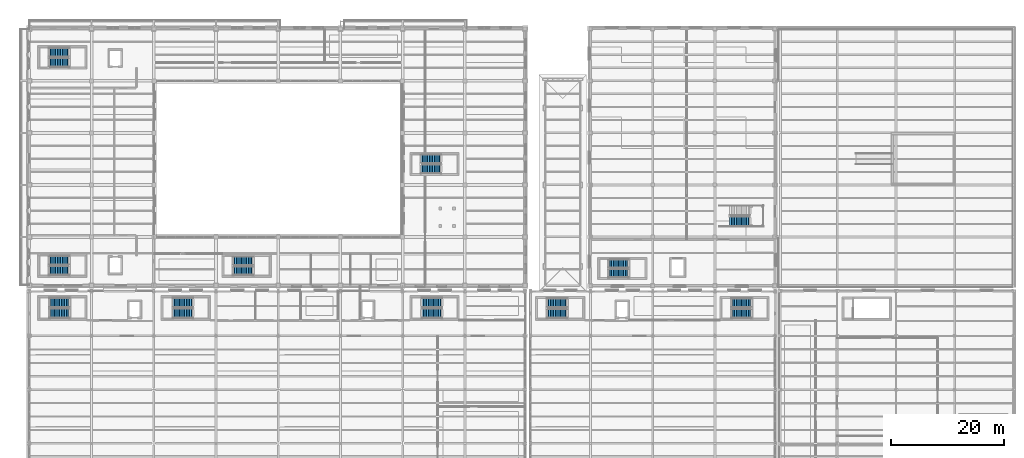
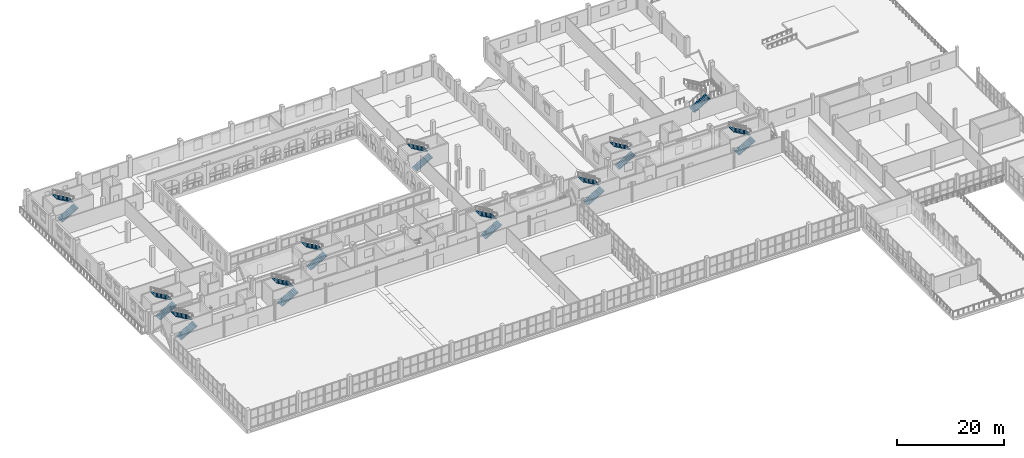
# One storey, part 130 of 156: 21 stair flights, 11 elements without a shape of their own.
"""IFC4 building model written with IfcOpenShell, lengths in metres."""

from ifc_helpers import new_model, si_unit, direction, frame, origin, place, context, subcontext, project, spatial, polyline, outline, extrude, material, type_object, element, aggregate, save


model = new_model("IFC4")

# Units and contexts
model_context = context("Model", 3, precision=1e-05, world=origin(), true_north=direction((0.0, 1.0)))
body_context = subcontext(model_context, "Body", "Model", "MODEL_VIEW")
ifc_project = project(units=[si_unit("LENGTHUNIT", "METRE"), si_unit("AREAUNIT", "SQUARE_METRE"), si_unit("VOLUMEUNIT", "CUBIC_METRE"), si_unit("PLANEANGLEUNIT", "RADIAN"), si_unit("MASSUNIT", "GRAM", prefix="KILO")], contexts=[model_context])

# Site, building, storey
site_placement = place(None, origin())
site = spatial("IfcSite", under=ifc_project, at=site_placement, CompositionType="ELEMENT")
building_placement = place(site_placement, origin())
building = spatial("IfcBuilding", under=site, at=building_placement, Name="Caurita Quay Ferry Terminal", CompositionType="ELEMENT")
storey_placement = place(building_placement, frame((0.0, 0.0, 5.39990234375)))
storey = spatial("IfcBuildingStorey", under=building, at=storey_placement, Name="L01", CompositionType="ELEMENT", Elevation=5.39990234375)

# Stair, stair flights
ifc_material = material(Name="Reinforced concrete C35/45", Category="concrete")
stair_type_1 = type_object("IfcStairType", Name="STR-DL-02", PredefinedType="HALF_TURN_STAIR", material=ifc_material)
stair_1_placement = place(storey_placement, origin())
stair_1 = element("IfcStair", 1, at=stair_1_placement, inside=storey, type_object=stair_type_1, Name="L01 Protected Exit Stair ST-01", PredefinedType="HALF_TURN_STAIR")
stair_flight_type_1 = type_object("IfcStairFlightType", Name="FLT-DL-02", PredefinedType="STRAIGHT", material=ifc_material)
stair_flight_1_placement = place(storey_placement, frame((3.449951171875, 111.02490234375, 0.0), z_axis=(0.0, 0.0, 1.0), x_axis=(1.0, 0.0, 0.0)))
stair_flight_1 = element("IfcStairFlight", 2, at=stair_flight_1_placement, type_object=stair_flight_type_1, Name="ST-01 flight 1", NumberOfRisers=13, NumberOfTreads=12, PredefinedType="STRAIGHT", RiserHeight=0.173076923, TreadLength=0.3, context=body_context, shape_type="SweptSolid", body=[
    extrude(outline(polyline([(0.0, 0.0), (0.0, 0.173095703125), (0.300048828125, 0.173095703125), (0.300048828125, 0.34619140625), (0.60009765625, 0.34619140625), (0.60009765625, 0.519287109375), (0.89990234375, 0.519287109375), (0.89990234375, 0.6923828125), (1.199951171875, 0.6923828125), (1.199951171875, 0.865478515625), (1.5, 0.865478515625), (1.5, 1.03857421875), (1.800048828125, 1.03857421875), (1.800048828125, 1.21142578125), (2.10009765625, 1.21142578125), (2.10009765625, 1.384521484375), (2.39990234375, 1.384521484375), (2.39990234375, 1.5576171875), (2.699951171875, 1.5576171875), (2.699951171875, 1.730712890625), (3.0, 1.730712890625), (3.0, 1.90380859375), (3.300048828125, 1.90380859375), (3.300048828125, 2.076904296875), (3.60009765625, 2.076904296875), (3.60009765625, 2.25), (3.60009765625, 1.90380859375), (0.300048828125, 0.0), (0.0, 0.0)])), frame((0.0, 0.824951171875, 0.0), z_axis=(0.0, -1.0, 0.0), x_axis=(1.0, 0.0, 0.0)), (0.0, 0.0, 1.0), 1.64990234375),
])
stair_flight_2_placement = place(storey_placement, frame((7.050048828125, 112.8349609375, 2.25), z_axis=(0.0, 0.0, 1.0), x_axis=(-1.0, 0.0, 0.0)))
stair_flight_2 = element("IfcStairFlight", 3, at=stair_flight_2_placement, type_object=stair_flight_type_1, Name="ST-01 flight 2", NumberOfRisers=13, NumberOfTreads=12, PredefinedType="STRAIGHT", RiserHeight=0.173076923, TreadLength=0.3, context=body_context, shape_type="SweptSolid", body=[
    extrude(outline(polyline([(0.0, 0.0), (0.0, 0.173095703125), (0.300048828125, 0.173095703125), (0.300048828125, 0.34619140625), (0.60009765625, 0.34619140625), (0.60009765625, 0.519287109375), (0.89990234375, 0.519287109375), (0.89990234375, 0.6923828125), (1.199951171875, 0.6923828125), (1.199951171875, 0.865478515625), (1.5, 0.865478515625), (1.5, 1.03857421875), (1.800048828125, 1.03857421875), (1.800048828125, 1.21142578125), (2.10009765625, 1.21142578125), (2.10009765625, 1.384521484375), (2.39990234375, 1.384521484375), (2.39990234375, 1.5576171875), (2.699951171875, 1.5576171875), (2.699951171875, 1.730712890625), (3.0, 1.730712890625), (3.0, 1.90380859375), (3.300048828125, 1.90380859375), (3.300048828125, 2.076904296875), (3.60009765625, 2.076904296875), (3.60009765625, 2.25), (3.60009765625, 1.90380859375), (0.300048828125, 0.0), (0.0, 0.0)])), frame((0.0, 0.824951171875, 0.0), z_axis=(0.0, -1.0, 0.0), x_axis=(1.0, 0.0, 0.0)), (0.0, 0.0, 1.0), 1.64990234375),
])
aggregate(stair_1, [stair_flight_1, stair_flight_2])

stair_2_placement = place(storey_placement, origin())
stair_2 = element("IfcStair", 4, at=stair_2_placement, inside=storey, type_object=stair_type_1, Name="L01 Protected Exit Stair ST-02", PredefinedType="HALF_TURN_STAIR")
stair_flight_3_placement = place(storey_placement, frame((3.449951171875, 74.22509765625, 0.0), z_axis=(0.0, 0.0, 1.0), x_axis=(1.0, 0.0, 0.0)))
stair_flight_3 = element("IfcStairFlight", 5, at=stair_flight_3_placement, type_object=stair_flight_type_1, Name="ST-02 flight 1", NumberOfRisers=13, NumberOfTreads=12, PredefinedType="STRAIGHT", RiserHeight=0.173076923, TreadLength=0.3, context=body_context, shape_type="SweptSolid", body=[
    extrude(outline(polyline([(0.0, 0.0), (0.0, 0.173095703125), (0.300048828125, 0.173095703125), (0.300048828125, 0.34619140625), (0.60009765625, 0.34619140625), (0.60009765625, 0.519287109375), (0.89990234375, 0.519287109375), (0.89990234375, 0.6923828125), (1.199951171875, 0.6923828125), (1.199951171875, 0.865478515625), (1.5, 0.865478515625), (1.5, 1.03857421875), (1.800048828125, 1.03857421875), (1.800048828125, 1.21142578125), (2.10009765625, 1.21142578125), (2.10009765625, 1.384521484375), (2.39990234375, 1.384521484375), (2.39990234375, 1.5576171875), (2.699951171875, 1.5576171875), (2.699951171875, 1.730712890625), (3.0, 1.730712890625), (3.0, 1.90380859375), (3.300048828125, 1.90380859375), (3.300048828125, 2.076904296875), (3.60009765625, 2.076904296875), (3.60009765625, 2.25), (3.60009765625, 1.90380859375), (0.300048828125, 0.0), (0.0, 0.0)])), frame((0.0, 0.824951171875, 0.0), z_axis=(0.0, -1.0, 0.0), x_axis=(1.0, 0.0, 0.0)), (0.0, 0.0, 1.0), 1.64990234375),
])
stair_flight_4_placement = place(storey_placement, frame((7.050048828125, 76.034912109375, 2.25), z_axis=(0.0, 0.0, 1.0), x_axis=(-1.0, 0.0, 0.0)))
stair_flight_4 = element("IfcStairFlight", 6, at=stair_flight_4_placement, type_object=stair_flight_type_1, Name="ST-02 flight 2", NumberOfRisers=13, NumberOfTreads=12, PredefinedType="STRAIGHT", RiserHeight=0.173076923, TreadLength=0.3, context=body_context, shape_type="SweptSolid", body=[
    extrude(outline(polyline([(0.0, 0.0), (0.0, 0.173095703125), (0.300048828125, 0.173095703125), (0.300048828125, 0.34619140625), (0.60009765625, 0.34619140625), (0.60009765625, 0.519287109375), (0.89990234375, 0.519287109375), (0.89990234375, 0.6923828125), (1.199951171875, 0.6923828125), (1.199951171875, 0.865478515625), (1.5, 0.865478515625), (1.5, 1.03857421875), (1.800048828125, 1.03857421875), (1.800048828125, 1.21142578125), (2.10009765625, 1.21142578125), (2.10009765625, 1.384521484375), (2.39990234375, 1.384521484375), (2.39990234375, 1.5576171875), (2.699951171875, 1.5576171875), (2.699951171875, 1.730712890625), (3.0, 1.730712890625), (3.0, 1.90380859375), (3.300048828125, 1.90380859375), (3.300048828125, 2.076904296875), (3.60009765625, 2.076904296875), (3.60009765625, 2.25), (3.60009765625, 1.90380859375), (0.300048828125, 0.0), (0.0, 0.0)])), frame((0.0, 0.824951171875, 0.0), z_axis=(0.0, -1.0, 0.0), x_axis=(1.0, 0.0, 0.0)), (0.0, 0.0, 1.0), 1.64990234375),
])
aggregate(stair_2, [stair_flight_3, stair_flight_4])

stair_type_2 = type_object("IfcStairType", Name="STR-DL-05", PredefinedType="HALF_TURN_STAIR", material=ifc_material)
stair_3_placement = place(storey_placement, origin())
stair_3 = element("IfcStair", 7, at=stair_3_placement, inside=storey, type_object=stair_type_2, Name="L01 Protected Exit Stair ST-03", PredefinedType="HALF_TURN_STAIR")
stair_flight_type_2 = type_object("IfcStairFlightType", Name="FLT-DL-05", PredefinedType="STRAIGHT", material=ifc_material)
stair_flight_5_placement = place(storey_placement, frame((36.0, 74.199951171875, 0.0), z_axis=(0.0, 0.0, 1.0), x_axis=(1.0, 0.0, 0.0)))
stair_flight_5 = element("IfcStairFlight", 8, at=stair_flight_5_placement, type_object=stair_flight_type_2, Name="ST-03 flight 1", NumberOfRisers=13, NumberOfTreads=12, PredefinedType="STRAIGHT", RiserHeight=0.173076923, TreadLength=0.3, context=body_context, shape_type="SweptSolid", body=[
    extrude(outline(polyline([(0.0, 0.0), (0.0, 0.173095703125), (0.300048828125, 0.173095703125), (0.300048828125, 0.34619140625), (0.60009765625, 0.34619140625), (0.60009765625, 0.519287109375), (0.89990234375, 0.519287109375), (0.89990234375, 0.6923828125), (1.199951171875, 0.6923828125), (1.199951171875, 0.865478515625), (1.5, 0.865478515625), (1.5, 1.03857421875), (1.800048828125, 1.03857421875), (1.800048828125, 1.21142578125), (2.10009765625, 1.21142578125), (2.10009765625, 1.384521484375), (2.39990234375, 1.384521484375), (2.39990234375, 1.5576171875), (2.699951171875, 1.5576171875), (2.699951171875, 1.730712890625), (3.0, 1.730712890625), (3.0, 1.90380859375), (3.300048828125, 1.90380859375), (3.300048828125, 2.076904296875), (3.60009765625, 2.076904296875), (3.60009765625, 2.25), (3.60009765625, 1.90380859375), (0.300048828125, 0.0), (0.0, 0.0)])), frame((0.0, 0.800048828125, 0.0), z_axis=(0.0, -1.0, 0.0), x_axis=(1.0, 0.0, 0.0)), (0.0, 0.0, 1.0), 1.60009765625),
])
stair_flight_6_placement = place(storey_placement, frame((39.60009765625, 75.9599609375, 2.25), z_axis=(0.0, 0.0, 1.0), x_axis=(-1.0, 0.0, 0.0)))
stair_flight_6 = element("IfcStairFlight", 9, at=stair_flight_6_placement, type_object=stair_flight_type_2, Name="ST-03 flight 2", NumberOfRisers=13, NumberOfTreads=12, PredefinedType="STRAIGHT", RiserHeight=0.173076923, TreadLength=0.3, context=body_context, shape_type="SweptSolid", body=[
    extrude(outline(polyline([(0.0, 0.0), (0.0, 0.173095703125), (0.300048828125, 0.173095703125), (0.300048828125, 0.34619140625), (0.60009765625, 0.34619140625), (0.60009765625, 0.519287109375), (0.89990234375, 0.519287109375), (0.89990234375, 0.6923828125), (1.199951171875, 0.6923828125), (1.199951171875, 0.865478515625), (1.5, 0.865478515625), (1.5, 1.03857421875), (1.800048828125, 1.03857421875), (1.800048828125, 1.21142578125), (2.10009765625, 1.21142578125), (2.10009765625, 1.384521484375), (2.39990234375, 1.384521484375), (2.39990234375, 1.5576171875), (2.699951171875, 1.5576171875), (2.699951171875, 1.730712890625), (3.0, 1.730712890625), (3.0, 1.90380859375), (3.300048828125, 1.90380859375), (3.300048828125, 2.076904296875), (3.60009765625, 2.076904296875), (3.60009765625, 2.25), (3.60009765625, 1.90380859375), (0.300048828125, 0.0), (0.0, 0.0)])), frame((0.0, 0.800048828125, 0.0), z_axis=(0.0, -1.0, 0.0), x_axis=(1.0, 0.0, 0.0)), (0.0, 0.0, 1.0), 1.60009765625),
])
aggregate(stair_3, [stair_flight_5, stair_flight_6])

stair_4_placement = place(storey_placement, origin())
stair_4 = element("IfcStair", 10, at=stair_4_placement, inside=storey, type_object=stair_type_2, Name="L01 Protected Exit Stair ST-04", PredefinedType="HALF_TURN_STAIR")
stair_flight_7_placement = place(storey_placement, frame((69.199951171875, 92.199951171875, 0.0), z_axis=(0.0, 0.0, 1.0), x_axis=(1.0, 0.0, 0.0)))
stair_flight_7 = element("IfcStairFlight", 11, at=stair_flight_7_placement, type_object=stair_flight_type_2, Name="ST-04 flight 1", NumberOfRisers=13, NumberOfTreads=12, PredefinedType="STRAIGHT", RiserHeight=0.173076923, TreadLength=0.3, context=body_context, shape_type="SweptSolid", body=[
    extrude(outline(polyline([(0.0, 0.0), (0.0, 0.173095703125), (0.300048828125, 0.173095703125), (0.300048828125, 0.34619140625), (0.60009765625, 0.34619140625), (0.60009765625, 0.519287109375), (0.89990234375, 0.519287109375), (0.89990234375, 0.6923828125), (1.199951171875, 0.6923828125), (1.199951171875, 0.865478515625), (1.5, 0.865478515625), (1.5, 1.03857421875), (1.800048828125, 1.03857421875), (1.800048828125, 1.21142578125), (2.10009765625, 1.21142578125), (2.10009765625, 1.384521484375), (2.39990234375, 1.384521484375), (2.39990234375, 1.5576171875), (2.699951171875, 1.5576171875), (2.699951171875, 1.730712890625), (3.0, 1.730712890625), (3.0, 1.90380859375), (3.300048828125, 1.90380859375), (3.300048828125, 2.076904296875), (3.60009765625, 2.076904296875), (3.60009765625, 2.25), (3.60009765625, 1.90380859375), (0.300048828125, 0.0), (0.0, 0.0)])), frame((0.0, 0.800048828125, 0.0), z_axis=(0.0, -1.0, 0.0), x_axis=(1.0, 0.0, 0.0)), (0.0, 0.0, 1.0), 1.60009765625),
])
stair_flight_8_placement = place(storey_placement, frame((72.800048828125, 93.9599609375, 2.25), z_axis=(0.0, 0.0, 1.0), x_axis=(-1.0, 0.0, 0.0)))
stair_flight_8 = element("IfcStairFlight", 12, at=stair_flight_8_placement, type_object=stair_flight_type_2, Name="ST-04 flight 2", NumberOfRisers=13, NumberOfTreads=12, PredefinedType="STRAIGHT", RiserHeight=0.173076923, TreadLength=0.3, context=body_context, shape_type="SweptSolid", body=[
    extrude(outline(polyline([(0.0, 0.0), (0.0, 0.173095703125), (0.300048828125, 0.173095703125), (0.300048828125, 0.34619140625), (0.60009765625, 0.34619140625), (0.60009765625, 0.519287109375), (0.89990234375, 0.519287109375), (0.89990234375, 0.6923828125), (1.199951171875, 0.6923828125), (1.199951171875, 0.865478515625), (1.5, 0.865478515625), (1.5, 1.03857421875), (1.800048828125, 1.03857421875), (1.800048828125, 1.21142578125), (2.10009765625, 1.21142578125), (2.10009765625, 1.384521484375), (2.39990234375, 1.384521484375), (2.39990234375, 1.5576171875), (2.699951171875, 1.5576171875), (2.699951171875, 1.730712890625), (3.0, 1.730712890625), (3.0, 1.90380859375), (3.300048828125, 1.90380859375), (3.300048828125, 2.076904296875), (3.60009765625, 2.076904296875), (3.60009765625, 2.25), (3.60009765625, 1.90380859375), (0.300048828125, 0.0), (0.0, 0.0)])), frame((0.0, 0.800048828125, 0.0), z_axis=(0.0, -1.0, 0.0), x_axis=(1.0, 0.0, 0.0)), (0.0, 0.0, 1.0), 1.60009765625),
])
aggregate(stair_4, [stair_flight_7, stair_flight_8])

stair_type_3 = type_object("IfcStairType", Name="STR-DL-08", PredefinedType="HALF_TURN_STAIR", material=ifc_material)
stair_5_placement = place(storey_placement, origin())
stair_5 = element("IfcStair", 13, at=stair_5_placement, inside=storey, type_object=stair_type_3, Name="L01 Protected Exit Stair ST-05", PredefinedType="HALF_TURN_STAIR")
stair_flight_type_3 = type_object("IfcStairFlightType", Name="FLT-DL-08", PredefinedType="STRAIGHT", material=ifc_material)
stair_flight_9_placement = place(storey_placement, frame((3.550048828125, 66.675048828125, 0.0), z_axis=(0.0, 0.0, 1.0), x_axis=(1.0, 0.0, 0.0)))
stair_flight_9 = element("IfcStairFlight", 14, at=stair_flight_9_placement, type_object=stair_flight_type_3, Name="ST-05 flight 1", NumberOfRisers=13, NumberOfTreads=12, PredefinedType="STRAIGHT", RiserHeight=0.173076923, TreadLength=0.3, context=body_context, shape_type="SweptSolid", body=[
    extrude(outline(polyline([(0.0, 0.0), (0.0, 0.173095703125), (0.300048828125, 0.173095703125), (0.300048828125, 0.34619140625), (0.60009765625, 0.34619140625), (0.60009765625, 0.519287109375), (0.89990234375, 0.519287109375), (0.89990234375, 0.6923828125), (1.199951171875, 0.6923828125), (1.199951171875, 0.865478515625), (1.5, 0.865478515625), (1.5, 1.03857421875), (1.800048828125, 1.03857421875), (1.800048828125, 1.21142578125), (2.10009765625, 1.21142578125), (2.10009765625, 1.384521484375), (2.39990234375, 1.384521484375), (2.39990234375, 1.5576171875), (2.699951171875, 1.5576171875), (2.699951171875, 1.730712890625), (3.0, 1.730712890625), (3.0, 1.90380859375), (3.300048828125, 1.90380859375), (3.300048828125, 2.076904296875), (3.60009765625, 2.076904296875), (3.60009765625, 2.25), (3.60009765625, 1.90380859375), (0.300048828125, 0.0), (0.0, 0.0)])), frame((0.0, 0.875, 0.0), z_axis=(0.0, -1.0, 0.0), x_axis=(1.0, 0.0, 0.0)), (0.0, 0.0, 1.0), 1.75),
])
stair_flight_10_placement = place(storey_placement, frame((7.14990234375, 68.5849609375, 2.25), z_axis=(0.0, 0.0, 1.0), x_axis=(-1.0, 0.0, 0.0)))
stair_flight_10 = element("IfcStairFlight", 15, at=stair_flight_10_placement, type_object=stair_flight_type_3, Name="ST-05 flight 2", NumberOfRisers=13, NumberOfTreads=12, PredefinedType="STRAIGHT", RiserHeight=0.173076923, TreadLength=0.3, context=body_context, shape_type="SweptSolid", body=[
    extrude(outline(polyline([(0.0, 0.0), (0.0, 0.173095703125), (0.300048828125, 0.173095703125), (0.300048828125, 0.34619140625), (0.60009765625, 0.34619140625), (0.60009765625, 0.519287109375), (0.89990234375, 0.519287109375), (0.89990234375, 0.6923828125), (1.199951171875, 0.6923828125), (1.199951171875, 0.865478515625), (1.5, 0.865478515625), (1.5, 1.03857421875), (1.800048828125, 1.03857421875), (1.800048828125, 1.21142578125), (2.10009765625, 1.21142578125), (2.10009765625, 1.384521484375), (2.39990234375, 1.384521484375), (2.39990234375, 1.5576171875), (2.699951171875, 1.5576171875), (2.699951171875, 1.730712890625), (3.0, 1.730712890625), (3.0, 1.90380859375), (3.300048828125, 1.90380859375), (3.300048828125, 2.076904296875), (3.60009765625, 2.076904296875), (3.60009765625, 2.25), (3.60009765625, 1.90380859375), (0.300048828125, 0.0), (0.0, 0.0)])), frame((0.0, 0.875, 0.0), z_axis=(0.0, -1.0, 0.0), x_axis=(1.0, 0.0, 0.0)), (0.0, 0.0, 1.0), 1.75),
])
aggregate(stair_5, [stair_flight_9, stair_flight_10])

stair_6_placement = place(storey_placement, origin())
stair_6 = element("IfcStair", 16, at=stair_6_placement, inside=storey, type_object=stair_type_3, Name="L01 Protected Exit Stair ST-06", PredefinedType="HALF_TURN_STAIR")
stair_flight_11_placement = place(storey_placement, frame((25.35009765625, 66.675048828125, 0.0), z_axis=(0.0, 0.0, 1.0), x_axis=(1.0, 0.0, 0.0)))
stair_flight_11 = element("IfcStairFlight", 17, at=stair_flight_11_placement, type_object=stair_flight_type_3, Name="ST-06 flight 1", NumberOfRisers=13, NumberOfTreads=12, PredefinedType="STRAIGHT", RiserHeight=0.173076923, TreadLength=0.3, context=body_context, shape_type="SweptSolid", body=[
    extrude(outline(polyline([(0.0, 0.0), (0.0, 0.173095703125), (0.300048828125, 0.173095703125), (0.300048828125, 0.34619140625), (0.60009765625, 0.34619140625), (0.60009765625, 0.519287109375), (0.89990234375, 0.519287109375), (0.89990234375, 0.6923828125), (1.199951171875, 0.6923828125), (1.199951171875, 0.865478515625), (1.5, 0.865478515625), (1.5, 1.03857421875), (1.800048828125, 1.03857421875), (1.800048828125, 1.21142578125), (2.10009765625, 1.21142578125), (2.10009765625, 1.384521484375), (2.39990234375, 1.384521484375), (2.39990234375, 1.5576171875), (2.699951171875, 1.5576171875), (2.699951171875, 1.730712890625), (3.0, 1.730712890625), (3.0, 1.90380859375), (3.300048828125, 1.90380859375), (3.300048828125, 2.076904296875), (3.60009765625, 2.076904296875), (3.60009765625, 2.25), (3.60009765625, 1.90380859375), (0.300048828125, 0.0), (0.0, 0.0)])), frame((0.0, 0.875, 0.0), z_axis=(0.0, -1.0, 0.0), x_axis=(1.0, 0.0, 0.0)), (0.0, 0.0, 1.0), 1.75),
])
stair_flight_12_placement = place(storey_placement, frame((28.949951171875, 68.5849609375, 2.25), z_axis=(0.0, 0.0, 1.0), x_axis=(-1.0, 0.0, 0.0)))
stair_flight_12 = element("IfcStairFlight", 18, at=stair_flight_12_placement, type_object=stair_flight_type_3, Name="ST-06 flight 2", NumberOfRisers=13, NumberOfTreads=12, PredefinedType="STRAIGHT", RiserHeight=0.173076923, TreadLength=0.3, context=body_context, shape_type="SweptSolid", body=[
    extrude(outline(polyline([(0.0, 0.0), (0.0, 0.173095703125), (0.300048828125, 0.173095703125), (0.300048828125, 0.34619140625), (0.60009765625, 0.34619140625), (0.60009765625, 0.519287109375), (0.89990234375, 0.519287109375), (0.89990234375, 0.6923828125), (1.199951171875, 0.6923828125), (1.199951171875, 0.865478515625), (1.5, 0.865478515625), (1.5, 1.03857421875), (1.800048828125, 1.03857421875), (1.800048828125, 1.21142578125), (2.10009765625, 1.21142578125), (2.10009765625, 1.384521484375), (2.39990234375, 1.384521484375), (2.39990234375, 1.5576171875), (2.699951171875, 1.5576171875), (2.699951171875, 1.730712890625), (3.0, 1.730712890625), (3.0, 1.90380859375), (3.300048828125, 1.90380859375), (3.300048828125, 2.076904296875), (3.60009765625, 2.076904296875), (3.60009765625, 2.25), (3.60009765625, 1.90380859375), (0.300048828125, 0.0), (0.0, 0.0)])), frame((0.0, 0.875, 0.0), z_axis=(0.0, -1.0, 0.0), x_axis=(1.0, 0.0, 0.0)), (0.0, 0.0, 1.0), 1.75),
])
aggregate(stair_6, [stair_flight_11, stair_flight_12])

stair_7_placement = place(storey_placement, origin())
stair_7 = element("IfcStair", 19, at=stair_7_placement, inside=storey, type_object=stair_type_3, Name="L01 Protected Exit Stair ST-07", PredefinedType="HALF_TURN_STAIR")
stair_flight_13_placement = place(storey_placement, frame((69.35009765625, 66.675048828125, 0.0), z_axis=(0.0, 0.0, 1.0), x_axis=(1.0, 0.0, 0.0)))
stair_flight_13 = element("IfcStairFlight", 20, at=stair_flight_13_placement, type_object=stair_flight_type_3, Name="ST-07 flight 1", NumberOfRisers=13, NumberOfTreads=12, PredefinedType="STRAIGHT", RiserHeight=0.173076923, TreadLength=0.3, context=body_context, shape_type="SweptSolid", body=[
    extrude(outline(polyline([(0.0, 0.0), (0.0, 0.173095703125), (0.300048828125, 0.173095703125), (0.300048828125, 0.34619140625), (0.60009765625, 0.34619140625), (0.60009765625, 0.519287109375), (0.89990234375, 0.519287109375), (0.89990234375, 0.6923828125), (1.199951171875, 0.6923828125), (1.199951171875, 0.865478515625), (1.5, 0.865478515625), (1.5, 1.03857421875), (1.800048828125, 1.03857421875), (1.800048828125, 1.21142578125), (2.10009765625, 1.21142578125), (2.10009765625, 1.384521484375), (2.39990234375, 1.384521484375), (2.39990234375, 1.5576171875), (2.699951171875, 1.5576171875), (2.699951171875, 1.730712890625), (3.0, 1.730712890625), (3.0, 1.90380859375), (3.300048828125, 1.90380859375), (3.300048828125, 2.076904296875), (3.60009765625, 2.076904296875), (3.60009765625, 2.25), (3.60009765625, 1.90380859375), (0.300048828125, 0.0), (0.0, 0.0)])), frame((0.0, 0.875, 0.0), z_axis=(0.0, -1.0, 0.0), x_axis=(1.0, 0.0, 0.0)), (0.0, 0.0, 1.0), 1.75),
])
stair_flight_14_placement = place(storey_placement, frame((72.949951171875, 68.5849609375, 2.25), z_axis=(0.0, 0.0, 1.0), x_axis=(-1.0, 0.0, 0.0)))
stair_flight_14 = element("IfcStairFlight", 21, at=stair_flight_14_placement, type_object=stair_flight_type_3, Name="ST-07 flight 2", NumberOfRisers=13, NumberOfTreads=12, PredefinedType="STRAIGHT", RiserHeight=0.173076923, TreadLength=0.3, context=body_context, shape_type="SweptSolid", body=[
    extrude(outline(polyline([(0.0, 0.0), (0.0, 0.173095703125), (0.300048828125, 0.173095703125), (0.300048828125, 0.34619140625), (0.60009765625, 0.34619140625), (0.60009765625, 0.519287109375), (0.89990234375, 0.519287109375), (0.89990234375, 0.6923828125), (1.199951171875, 0.6923828125), (1.199951171875, 0.865478515625), (1.5, 0.865478515625), (1.5, 1.03857421875), (1.800048828125, 1.03857421875), (1.800048828125, 1.21142578125), (2.10009765625, 1.21142578125), (2.10009765625, 1.384521484375), (2.39990234375, 1.384521484375), (2.39990234375, 1.5576171875), (2.699951171875, 1.5576171875), (2.699951171875, 1.730712890625), (3.0, 1.730712890625), (3.0, 1.90380859375), (3.300048828125, 1.90380859375), (3.300048828125, 2.076904296875), (3.60009765625, 2.076904296875), (3.60009765625, 2.25), (3.60009765625, 1.90380859375), (0.300048828125, 0.0), (0.0, 0.0)])), frame((0.0, 0.875, 0.0), z_axis=(0.0, -1.0, 0.0), x_axis=(1.0, 0.0, 0.0)), (0.0, 0.0, 1.0), 1.75),
])
aggregate(stair_7, [stair_flight_13, stair_flight_14])

stair_type_4 = type_object("IfcStairType", Name="STR-DL-11", PredefinedType="HALF_TURN_STAIR", material=ifc_material)
stair_8_placement = place(storey_placement, origin())
stair_8 = element("IfcStair", 22, at=stair_8_placement, inside=storey, type_object=stair_type_4, Name="L01 Protected Exit Stair ST-08", PredefinedType="HALF_TURN_STAIR")
stair_flight_type_4 = type_object("IfcStairFlightType", Name="FLT-DL-11", PredefinedType="STRAIGHT", material=ifc_material)
stair_flight_15_placement = place(storey_placement, frame((91.5, 66.64990234375, 0.0), z_axis=(0.0, 0.0, 1.0), x_axis=(1.0, 0.0, 0.0)))
stair_flight_15 = element("IfcStairFlight", 23, at=stair_flight_15_placement, type_object=stair_flight_type_4, Name="ST-08 flight 1", NumberOfRisers=13, NumberOfTreads=12, PredefinedType="STRAIGHT", RiserHeight=0.173076923, TreadLength=0.3, context=body_context, shape_type="SweptSolid", body=[
    extrude(outline(polyline([(0.0, 0.0), (0.0, 0.173095703125), (0.300048828125, 0.173095703125), (0.300048828125, 0.34619140625), (0.60009765625, 0.34619140625), (0.60009765625, 0.519287109375), (0.89990234375, 0.519287109375), (0.89990234375, 0.6923828125), (1.199951171875, 0.6923828125), (1.199951171875, 0.865478515625), (1.5, 0.865478515625), (1.5, 1.03857421875), (1.800048828125, 1.03857421875), (1.800048828125, 1.21142578125), (2.10009765625, 1.21142578125), (2.10009765625, 1.384521484375), (2.39990234375, 1.384521484375), (2.39990234375, 1.5576171875), (2.699951171875, 1.5576171875), (2.699951171875, 1.730712890625), (3.0, 1.730712890625), (3.0, 1.90380859375), (3.300048828125, 1.90380859375), (3.300048828125, 2.076904296875), (3.60009765625, 2.076904296875), (3.60009765625, 2.25), (3.60009765625, 1.90380859375), (0.300048828125, 0.0), (0.0, 0.0)])), frame((0.0, 0.85009765625, 0.0), z_axis=(0.0, -1.0, 0.0), x_axis=(1.0, 0.0, 0.0)), (0.0, 0.0, 1.0), 1.699951171875),
])
stair_flight_16_placement = place(storey_placement, frame((95.10009765625, 68.510009765625, 2.25), z_axis=(0.0, 0.0, 1.0), x_axis=(-1.0, 0.0, 0.0)))
stair_flight_16 = element("IfcStairFlight", 24, at=stair_flight_16_placement, type_object=stair_flight_type_4, Name="ST-08 flight 2", NumberOfRisers=13, NumberOfTreads=12, PredefinedType="STRAIGHT", RiserHeight=0.173076923, TreadLength=0.3, context=body_context, shape_type="SweptSolid", body=[
    extrude(outline(polyline([(0.0, 0.0), (0.0, 0.173095703125), (0.300048828125, 0.173095703125), (0.300048828125, 0.34619140625), (0.60009765625, 0.34619140625), (0.60009765625, 0.519287109375), (0.89990234375, 0.519287109375), (0.89990234375, 0.6923828125), (1.199951171875, 0.6923828125), (1.199951171875, 0.865478515625), (1.5, 0.865478515625), (1.5, 1.03857421875), (1.800048828125, 1.03857421875), (1.800048828125, 1.21142578125), (2.10009765625, 1.21142578125), (2.10009765625, 1.384521484375), (2.39990234375, 1.384521484375), (2.39990234375, 1.5576171875), (2.699951171875, 1.5576171875), (2.699951171875, 1.730712890625), (3.0, 1.730712890625), (3.0, 1.90380859375), (3.300048828125, 1.90380859375), (3.300048828125, 2.076904296875), (3.60009765625, 2.076904296875), (3.60009765625, 2.25), (3.60009765625, 1.90380859375), (0.300048828125, 0.0), (0.0, 0.0)])), frame((0.0, 0.85009765625, 0.0), z_axis=(0.0, -1.0, 0.0), x_axis=(1.0, 0.0, 0.0)), (0.0, 0.0, 1.0), 1.699951171875),
])
aggregate(stair_8, [stair_flight_15, stair_flight_16])

stair_9_placement = place(storey_placement, origin())
stair_9 = element("IfcStair", 25, at=stair_9_placement, inside=storey, type_object=stair_type_4, Name="L01 Protected Exit Stair ST-09", PredefinedType="HALF_TURN_STAIR")
stair_flight_17_placement = place(storey_placement, frame((124.10009765625, 66.64990234375, 0.0), z_axis=(0.0, 0.0, 1.0), x_axis=(1.0, 0.0, 0.0)))
stair_flight_17 = element("IfcStairFlight", 26, at=stair_flight_17_placement, type_object=stair_flight_type_4, Name="ST-09 flight 1", NumberOfRisers=13, NumberOfTreads=12, PredefinedType="STRAIGHT", RiserHeight=0.173076923, TreadLength=0.3, context=body_context, shape_type="SweptSolid", body=[
    extrude(outline(polyline([(0.0, 0.0), (0.0, 0.173095703125), (0.300048828125, 0.173095703125), (0.300048828125, 0.34619140625), (0.60009765625, 0.34619140625), (0.60009765625, 0.519287109375), (0.89990234375, 0.519287109375), (0.89990234375, 0.6923828125), (1.199951171875, 0.6923828125), (1.199951171875, 0.865478515625), (1.5, 0.865478515625), (1.5, 1.03857421875), (1.800048828125, 1.03857421875), (1.800048828125, 1.21142578125), (2.10009765625, 1.21142578125), (2.10009765625, 1.384521484375), (2.39990234375, 1.384521484375), (2.39990234375, 1.5576171875), (2.699951171875, 1.5576171875), (2.699951171875, 1.730712890625), (3.0, 1.730712890625), (3.0, 1.90380859375), (3.300048828125, 1.90380859375), (3.300048828125, 2.076904296875), (3.60009765625, 2.076904296875), (3.60009765625, 2.25), (3.60009765625, 1.90380859375), (0.300048828125, 0.0), (0.0, 0.0)])), frame((0.0, 0.85009765625, 0.0), z_axis=(0.0, -1.0, 0.0), x_axis=(1.0, 0.0, 0.0)), (0.0, 0.0, 1.0), 1.699951171875),
])
stair_flight_18_placement = place(storey_placement, frame((127.699951171875, 68.510009765625, 2.25), z_axis=(0.0, 0.0, 1.0), x_axis=(-1.0, 0.0, 0.0)))
stair_flight_18 = element("IfcStairFlight", 27, at=stair_flight_18_placement, type_object=stair_flight_type_4, Name="ST-09 flight 2", NumberOfRisers=13, NumberOfTreads=12, PredefinedType="STRAIGHT", RiserHeight=0.173076923, TreadLength=0.3, context=body_context, shape_type="SweptSolid", body=[
    extrude(outline(polyline([(0.0, 0.0), (0.0, 0.173095703125), (0.300048828125, 0.173095703125), (0.300048828125, 0.34619140625), (0.60009765625, 0.34619140625), (0.60009765625, 0.519287109375), (0.89990234375, 0.519287109375), (0.89990234375, 0.6923828125), (1.199951171875, 0.6923828125), (1.199951171875, 0.865478515625), (1.5, 0.865478515625), (1.5, 1.03857421875), (1.800048828125, 1.03857421875), (1.800048828125, 1.21142578125), (2.10009765625, 1.21142578125), (2.10009765625, 1.384521484375), (2.39990234375, 1.384521484375), (2.39990234375, 1.5576171875), (2.699951171875, 1.5576171875), (2.699951171875, 1.730712890625), (3.0, 1.730712890625), (3.0, 1.90380859375), (3.300048828125, 1.90380859375), (3.300048828125, 2.076904296875), (3.60009765625, 2.076904296875), (3.60009765625, 2.25), (3.60009765625, 1.90380859375), (0.300048828125, 0.0), (0.0, 0.0)])), frame((0.0, 0.85009765625, 0.0), z_axis=(0.0, -1.0, 0.0), x_axis=(1.0, 0.0, 0.0)), (0.0, 0.0, 1.0), 1.699951171875),
])
aggregate(stair_9, [stair_flight_17, stair_flight_18])

stair_type_5 = type_object("IfcStairType", Name="STR-DL-13", PredefinedType="HALF_TURN_STAIR", material=ifc_material)
stair_10_placement = place(storey_placement, origin())
stair_10 = element("IfcStair", 28, at=stair_10_placement, inside=storey, type_object=stair_type_5, Name="L01 Protected Exit Stair ST-12", PredefinedType="HALF_TURN_STAIR")
stair_flight_type_5 = type_object("IfcStairFlightType", Name="FLT-DL-13", PredefinedType="STRAIGHT", material=ifc_material)
stair_flight_19_placement = place(storey_placement, frame((102.35009765625, 73.77490234375, 0.0), z_axis=(0.0, 0.0, 1.0), x_axis=(1.0, 0.0, 0.0)))
stair_flight_19 = element("IfcStairFlight", 29, at=stair_flight_19_placement, type_object=stair_flight_type_5, Name="ST-12 flight 1", NumberOfRisers=13, NumberOfTreads=12, PredefinedType="STRAIGHT", RiserHeight=0.173076923, TreadLength=0.3, context=body_context, shape_type="SweptSolid", body=[
    extrude(outline(polyline([(0.0, 0.0), (0.0, 0.173095703125), (0.300048828125, 0.173095703125), (0.300048828125, 0.34619140625), (0.60009765625, 0.34619140625), (0.60009765625, 0.519287109375), (0.89990234375, 0.519287109375), (0.89990234375, 0.6923828125), (1.199951171875, 0.6923828125), (1.199951171875, 0.865478515625), (1.5, 0.865478515625), (1.5, 1.03857421875), (1.800048828125, 1.03857421875), (1.800048828125, 1.21142578125), (2.10009765625, 1.21142578125), (2.10009765625, 1.384521484375), (2.39990234375, 1.384521484375), (2.39990234375, 1.5576171875), (2.699951171875, 1.5576171875), (2.699951171875, 1.730712890625), (3.0, 1.730712890625), (3.0, 1.90380859375), (3.300048828125, 1.90380859375), (3.300048828125, 2.076904296875), (3.60009765625, 2.076904296875), (3.60009765625, 2.25), (3.60009765625, 1.90380859375), (0.300048828125, 0.0), (0.0, 0.0)])), frame((0.0, 0.77490234375, 0.0), z_axis=(0.0, -1.0, 0.0), x_axis=(1.0, 0.0, 0.0)), (0.0, 0.0, 1.0), 1.550048828125),
])
stair_flight_20_placement = place(storey_placement, frame((105.949951171875, 75.485107421875, 2.25), z_axis=(0.0, 0.0, 1.0), x_axis=(-1.0, 0.0, 0.0)))
stair_flight_20 = element("IfcStairFlight", 30, at=stair_flight_20_placement, type_object=stair_flight_type_5, Name="ST-12 flight 2", NumberOfRisers=13, NumberOfTreads=12, PredefinedType="STRAIGHT", RiserHeight=0.173076923, TreadLength=0.3, context=body_context, shape_type="SweptSolid", body=[
    extrude(outline(polyline([(0.0, 0.0), (0.0, 0.173095703125), (0.300048828125, 0.173095703125), (0.300048828125, 0.34619140625), (0.60009765625, 0.34619140625), (0.60009765625, 0.519287109375), (0.89990234375, 0.519287109375), (0.89990234375, 0.6923828125), (1.199951171875, 0.6923828125), (1.199951171875, 0.865478515625), (1.5, 0.865478515625), (1.5, 1.03857421875), (1.800048828125, 1.03857421875), (1.800048828125, 1.21142578125), (2.10009765625, 1.21142578125), (2.10009765625, 1.384521484375), (2.39990234375, 1.384521484375), (2.39990234375, 1.5576171875), (2.699951171875, 1.5576171875), (2.699951171875, 1.730712890625), (3.0, 1.730712890625), (3.0, 1.90380859375), (3.300048828125, 1.90380859375), (3.300048828125, 2.076904296875), (3.60009765625, 2.076904296875), (3.60009765625, 2.25), (3.60009765625, 1.90380859375), (0.300048828125, 0.0), (0.0, 0.0)])), frame((0.0, 0.77490234375, 0.0), z_axis=(0.0, -1.0, 0.0), x_axis=(1.0, 0.0, 0.0)), (0.0, 0.0, 1.0), 1.550048828125),
])
aggregate(stair_10, [stair_flight_19, stair_flight_20])

# Stair, stair flight
stair_type_6 = type_object("IfcStairType", Name="STR-DL-14", PredefinedType="HALF_TURN_STAIR", material=ifc_material)
stair_11_placement = place(storey_placement, origin())
stair_11 = element("IfcStair", 31, at=stair_11_placement, inside=storey, type_object=stair_type_6, Name="L01 Promenade Stair ST-13", PredefinedType="HALF_TURN_STAIR")
stair_flight_type_6 = type_object("IfcStairFlightType", Name="FLT-DL-14", PredefinedType="STRAIGHT", material=ifc_material)
stair_flight_21_placement = place(storey_placement, frame((123.800048828125, 82.89990234375, 0.0), z_axis=(0.0, 0.0, 1.0), x_axis=(1.0, 0.0, 0.0)))
stair_flight_21 = element("IfcStairFlight", 32, at=stair_flight_21_placement, type_object=stair_flight_type_6, Name="ST-13 flight 1", NumberOfRisers=13, NumberOfTreads=12, PredefinedType="STRAIGHT", RiserHeight=0.173076923, TreadLength=0.3, context=body_context, shape_type="SweptSolid", body=[
    extrude(outline(polyline([(0.0, 0.0), (0.0, 0.173095703125), (0.300048828125, 0.173095703125), (0.300048828125, 0.34619140625), (0.60009765625, 0.34619140625), (0.60009765625, 0.519287109375), (0.89990234375, 0.519287109375), (0.89990234375, 0.6923828125), (1.199951171875, 0.6923828125), (1.199951171875, 0.865478515625), (1.5, 0.865478515625), (1.5, 1.03857421875), (1.800048828125, 1.03857421875), (1.800048828125, 1.21142578125), (2.10009765625, 1.21142578125), (2.10009765625, 1.384521484375), (2.39990234375, 1.384521484375), (2.39990234375, 1.5576171875), (2.699951171875, 1.5576171875), (2.699951171875, 1.730712890625), (3.0, 1.730712890625), (3.0, 1.90380859375), (3.300048828125, 1.90380859375), (3.300048828125, 2.076904296875), (3.60009765625, 2.076904296875), (3.60009765625, 2.25), (3.60009765625, 1.90380859375), (0.300048828125, 0.0), (0.0, 0.0)])), frame((0.0, 0.89990234375, 0.0), z_axis=(0.0, -1.0, 0.0), x_axis=(1.0, 0.0, 0.0)), (0.0, 0.0, 1.0), 1.800048828125),
])
aggregate(stair_11, [stair_flight_21])

save(model, "model.ifc")
